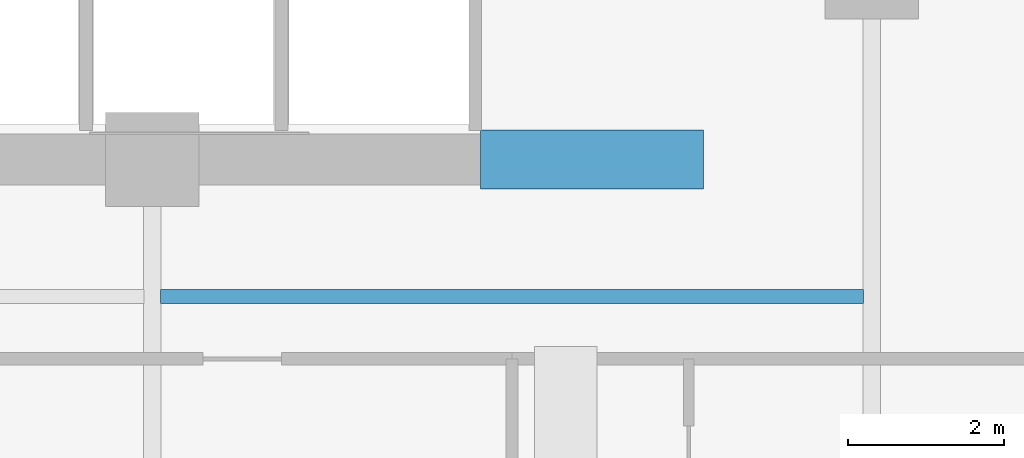
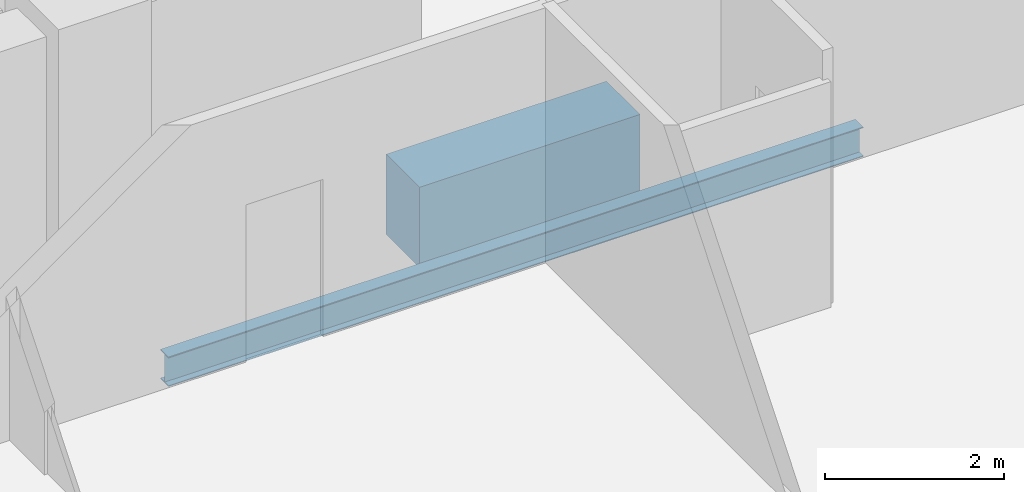
# One storey, part 11 of 33: 2 beams.
"""IFC4 building model written with IfcOpenShell, lengths in metres."""

import ifcopenshell
import ifcopenshell.guid

model = None  # the IFC model being written
_history = None  # IfcOwnerHistory: only IFC2X3 demands one
_inside = {}  # id of a spatial element -> (the spatial element, [elements in it])
_under = {}  # id of a project, library or spatial element -> (it, [spatial elements below it])
_declared = {}  # id of a project -> (the project, [libraries it declares])
_typed = {}  # id of a type object -> (the type object, [elements of that type])
_made_of = {}  # id of a material, layer set ... -> (it, [elements and type objects made of it])


def new_model(schema):
    """Start an empty IFC model of exactly this schema.

    Asked for "IFC4X3", IfcOpenShell would pick the latest addendum, in which some entities
    have other attributes; the version numbers below select the first issue.
    IFC2X3 requires an IfcOwnerHistory on every rooted entity: one is made here for all.
    """
    global model, _history
    if schema == "IFC4X3":
        model = ifcopenshell.file(schema_version=(4, 3, 0, 0))
    else:
        model = ifcopenshell.file(schema=schema)
    _inside.clear()
    _under.clear()
    _declared.clear()
    _typed.clear()
    _made_of.clear()
    _history = None
    if model.schema == "IFC2X3":
        org = make("IfcOrganization", Name="unknown")
        user = make(
            "IfcPersonAndOrganization",
            ThePerson=make("IfcPerson", FamilyName="unknown"),
            TheOrganization=org,
        )
        app = make(
            "IfcApplication",
            ApplicationDeveloper=org,
            Version="unknown",
            ApplicationFullName="unknown",
            ApplicationIdentifier="unknown",
        )
        _history = make(
            "IfcOwnerHistory",
            OwningUser=user,
            OwningApplication=app,
            ChangeAction="ADDED",
            CreationDate=0,
        )
    return model


def make(cls, **values):
    """One entity of the class cls with the attributes given. An attribute that is None is left unset."""
    return model.create_entity(
        cls, **{name: value for name, value in values.items() if value is not None}
    )


def rooted(cls, **values):
    """An entity with a GlobalId (a new one), such as an element, a storey or a relation."""
    return make(cls, GlobalId=ifcopenshell.guid.new(), OwnerHistory=_history, **values)


def si_unit(unit_type, name, prefix=None):
    """IfcSIUnit, for example si_unit("LENGTHUNIT", "METRE", prefix="MILLI")."""
    return make("IfcSIUnit", UnitType=unit_type, Prefix=prefix, Name=name)


def assignment(units):
    """IfcUnitAssignment: the units of a project."""
    return None if units is None else make("IfcUnitAssignment", Units=units)


def point(xyz):
    """IfcCartesianPoint."""
    return None if xyz is None else make("IfcCartesianPoint", Coordinates=xyz)


def direction(xyz):
    """IfcDirection."""
    return None if xyz is None else make("IfcDirection", DirectionRatios=xyz)


def frame(location, z_axis=None, x_axis=None):
    """IfcAxis2Placement3D, a coordinate frame: its origin and axes. An axis left out is left unset."""
    return make(
        "IfcAxis2Placement3D",
        Location=point(location),
        Axis=direction(z_axis),
        RefDirection=direction(x_axis),
    )


def frame_2d(location, x_axis=None):
    """IfcAxis2Placement2D, a coordinate frame in the plane: its origin and x axis."""
    return make(
        "IfcAxis2Placement2D", Location=point(location), RefDirection=direction(x_axis)
    )


def origin():
    """The frame at (0, 0, 0) with its axes left unset."""
    return frame((0.0, 0.0, 0.0))


def origin_2d():
    """The frame at (0, 0) in the plane with its x axis left unset."""
    return frame_2d((0.0, 0.0))


def place(relative_to, where):
    """IfcLocalPlacement: puts the frame where relative to a parent placement (None: the world)."""
    return make(
        "IfcLocalPlacement", PlacementRelTo=relative_to, RelativePlacement=where
    )


def context(
    kind, dimensions, precision=None, world=None, true_north=None, identifier=None
):
    """IfcGeometricRepresentationContext, for example the 3D "Model" context."""
    return make(
        "IfcGeometricRepresentationContext",
        ContextIdentifier=identifier,
        ContextType=kind,
        CoordinateSpaceDimension=dimensions,
        Precision=precision,
        WorldCoordinateSystem=world,
        TrueNorth=true_north,
    )


def subcontext(parent, identifier, kind, view, scale=None):
    """IfcGeometricRepresentationSubContext, for example "Body" below "Model"."""
    return make(
        "IfcGeometricRepresentationSubContext",
        ContextIdentifier=identifier,
        ContextType=kind,
        ParentContext=parent,
        TargetScale=scale,
        TargetView=view,
    )


def project(units=None, contexts=None):
    """IfcProject with its units and contexts."""
    return rooted(
        "IfcProject",
        Name="project",
        RepresentationContexts=contexts,
        UnitsInContext=assignment(units),
    )


def spatial(cls, under=None, at=None, **own):
    """A site, building, storey or space (cls), placed at a placement, below another one or the project."""
    s = rooted(cls, ObjectPlacement=at, **own)
    if under is not None:
        _under.setdefault(under.id(), (under, []))[1].append(s)
    return s


def profile(cls, at=None, kind="AREA", **sizes):
    """A parametric profile (cls). Its sizes go by their IFC names, for example OverallWidth=200.0."""
    return make(cls, ProfileType=kind, Position=at, **sizes)


def rectangle(**sizes):
    """IfcRectangleProfileDef."""
    return profile("IfcRectangleProfileDef", **sizes)


def i_section(**sizes):
    """IfcIShapeProfileDef."""
    return profile("IfcIShapeProfileDef", **sizes)


def extrude(swept, where, along, depth):
    """IfcExtrudedAreaSolid: the profile swept, set in the frame where, extruded along a direction by depth."""
    return make(
        "IfcExtrudedAreaSolid",
        SweptArea=swept,
        Position=where,
        ExtrudedDirection=direction(along),
        Depth=depth,
    )


def shape(context_of_items, identifier, shape_type, items):
    """IfcShapeRepresentation: the items that make up one representation, for example the "Body"."""
    return make(
        "IfcShapeRepresentation",
        ContextOfItems=context_of_items,
        RepresentationIdentifier=identifier,
        RepresentationType=shape_type,
        Items=items,
    )


def material(Name=None, Category=None):
    """IfcMaterial."""
    return make("IfcMaterial", Name=Name, Category=Category)


def material_profile(
    of_material, cross_section, Name=None, Category=None, Priority=None
):
    """IfcMaterialProfile: a cross section and its material."""
    return make(
        "IfcMaterialProfile",
        Name=Name,
        Material=of_material,
        Profile=cross_section,
        Priority=Priority,
        Category=Category,
    )


def profile_set(profiles, Name=None, composite=None):
    """IfcMaterialProfileSet."""
    return make(
        "IfcMaterialProfileSet",
        Name=Name,
        MaterialProfiles=profiles,
        CompositeProfile=composite,
    )


def made_of(thing, what):
    """Note that an element or type object is made of a material, layer set ...; save() writes the relation."""
    if what is not None:
        _made_of.setdefault(what.id(), (what, []))[1].append(thing)
    return thing


def type_object(cls, material=None, **own):
    """A type object (cls), such as IfcWallType, which elements share."""
    return made_of(rooted(cls, **own), material)


def element(
    cls,
    number,
    at=None,
    inside=None,
    cuts=None,
    type_object=None,
    material=None,
    context=None,
    identifier="Body",
    shape_type=None,
    held_by="IfcProductDefinitionShape",
    body=None,
    shapes=None,
    **own,
):
    """One element of the class cls, such as IfcWall. Its Tag is "e" and its number.

    at: its placement. inside: the storey or other place that contains it. cuts: it is an
    opening in that element (IfcRelVoidsElement). A single representation is given by context,
    identifier, shape_type and body (its items); several are given by shapes. held_by: the class
    of the entity that holds the representations. save() writes the other relations.
    """
    e = rooted(cls, Tag="e%d" % number, ObjectPlacement=at, **own)
    if body is not None:
        shapes = [shape(context, identifier, shape_type, body)]
    if shapes is not None:
        e.Representation = make(held_by, Representations=shapes)
    if inside is not None:
        _inside.setdefault(inside.id(), (inside, []))[1].append(e)
    if cuts is not None:
        rooted(
            "IfcRelVoidsElement", RelatingBuildingElement=cuts, RelatedOpeningElement=e
        )
    if type_object is not None:
        _typed.setdefault(type_object.id(), (type_object, []))[1].append(e)
    return made_of(e, material)


def aggregate(whole, parts):
    """IfcRelAggregates: a whole, such as a stair, and the parts it consists of."""
    return rooted("IfcRelAggregates", RelatingObject=whole, RelatedObjects=parts)


def save(model, path):
    """Write the relations noted so far, then the file.

    IfcRelAggregates (storeys below a building ...), IfcRelContainedInSpatialStructure (elements
    in a storey), IfcRelDefinesByType, IfcRelAssociatesMaterial and IfcRelDeclares: one each for
    every whole, place, type object, material and project.
    """
    for whole, parts in _under.values():
        aggregate(whole, parts)
    for where, things in _inside.values():
        rooted(
            "IfcRelContainedInSpatialStructure",
            RelatedElements=things,
            RelatingStructure=where,
        )
    for kind, things in _typed.values():
        rooted("IfcRelDefinesByType", RelatedObjects=things, RelatingType=kind)
    for what, things in _made_of.values():
        rooted("IfcRelAssociatesMaterial", RelatedObjects=things, RelatingMaterial=what)
    for by, libraries in _declared.values():
        rooted("IfcRelDeclares", RelatingContext=by, RelatedDefinitions=libraries)
    model.write(path)


model = new_model("IFC4")

# Units and contexts
model_context = context("Model", 3, precision=1e-05, world=origin(), true_north=direction((0.0, 1.0)))
body_context = subcontext(model_context, "Body", "Model", "MODEL_VIEW")
ifc_project = project(units=[si_unit("LENGTHUNIT", "METRE"), si_unit("AREAUNIT", "SQUARE_METRE"), si_unit("VOLUMEUNIT", "CUBIC_METRE"), si_unit("PLANEANGLEUNIT", "RADIAN"), si_unit("MASSUNIT", "GRAM", prefix="KILO")], contexts=[model_context])

# Site, building, storey
site_placement = place(None, origin())
site = spatial("IfcSite", under=ifc_project, at=site_placement, CompositionType="ELEMENT")
building_placement = place(site_placement, origin())
building = spatial("IfcBuilding", under=site, at=building_placement, Name="Zuhayl Quay Hotel", CompositionType="ELEMENT")
storey_placement = place(building_placement, frame((0.0, 0.0, 229.89990234375)))
storey = spatial("IfcBuildingStorey", under=building, at=storey_placement, Name="L58", CompositionType="ELEMENT", Elevation=229.89990234375)

# Beams
ifc_material_1 = material(Name="Concrete C60/75", Category="concrete")
ifc_material_profile_1 = material_profile(ifc_material_1, rectangle(XDim=0.75, YDim=1.10009765625, at=origin_2d()), Name="RC750X1100")
ifc_profile_set_1 = profile_set([ifc_material_profile_1], Name="Concrete C60/75")
beam_type_1 = type_object("IfcBeamType", Name="BM_CB2_RC750", PredefinedType="T_BEAM", material=ifc_profile_set_1)
beam_1_placement = place(storey_placement, frame((8.800048828125, 2.14990234375, -0.77001953125), z_axis=(1.0, 0.0, 0.0), x_axis=(0.0, 1.0, 0.0)))
element("IfcBeam", 1, at=beam_1_placement, inside=storey, type_object=beam_type_1, Name="L58 Core Coupling Beam SE", PredefinedType="T_BEAM", context=body_context, shape_type="SweptSolid", body=[
    extrude(rectangle(XDim=0.75, YDim=1.10009765625, at=origin_2d()), origin(), (0.0, 0.0, 1.0), 2.849853515625),
])
ifc_material_2 = material(Name="Steel ASTM A992 Grade 50", Category="steel")
ifc_material_profile_2 = material_profile(ifc_material_2, i_section(OverallWidth=0.177978515625, OverallDepth=0.406005859375, WebThickness=0.0078125, FlangeThickness=0.0126953125, at=origin_2d()), Name="W16X40")
ifc_profile_set_2 = profile_set([ifc_material_profile_2], Name="Steel ASTM A992 Grade 50")
beam_type_2 = type_object("IfcBeamType", Name="BM_J2B_W16X40", PredefinedType="JOIST", material=ifc_profile_set_2)
beam_2_placement = place(storey_placement, frame((4.7060546875, 0.39990234375, -0.4228515625), z_axis=(1.0, 0.0, 0.0), x_axis=(0.0, 1.0, 0.0)))
element("IfcBeam", 2, at=beam_2_placement, inside=storey, type_object=beam_type_2, Name="L58 Floor Beam FJ_L58_8_3", PredefinedType="JOIST", context=body_context, shape_type="SweptSolid", body=[
    extrude(i_section(OverallWidth=0.177978515625, OverallDepth=0.406005859375, WebThickness=0.0078125, FlangeThickness=0.0126953125, at=origin_2d()), origin(), (0.0, 0.0, 1.0), 8.988037109375),
])

save(model, "model.ifc")
